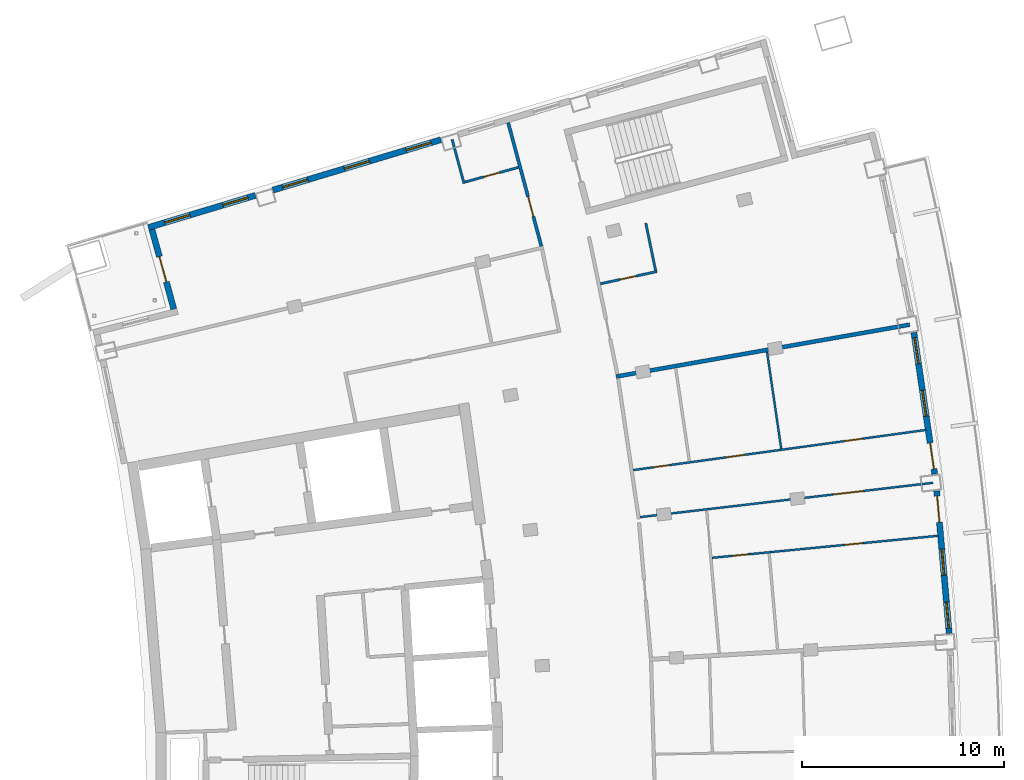
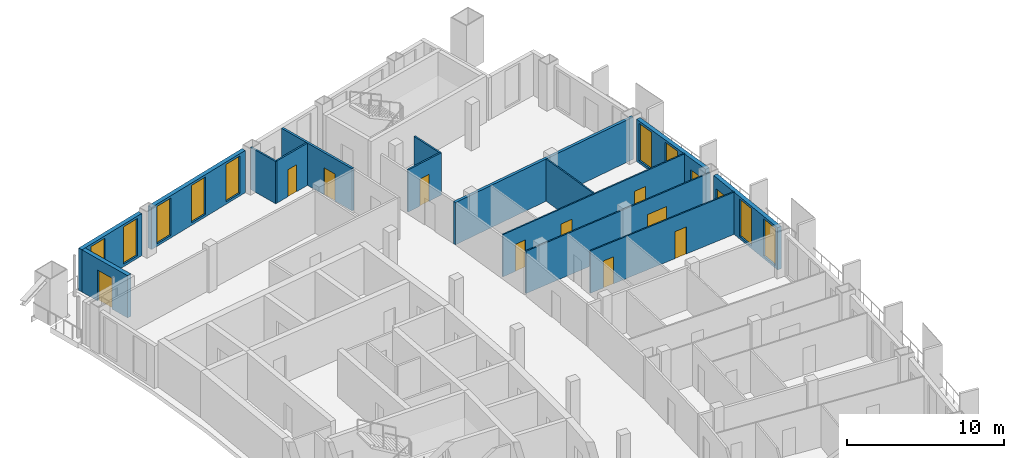
# One storey, part 12 of 16: 15 walls, 12 doors, 9 windows, 21 openings.
"""IFC4 building model written with IfcOpenShell, lengths in metres."""

from ifc_helpers import new_model, si_unit, direction, frame, frame_2d, origin, place, context, subcontext, project, spatial, rectangle, extrude, material, layer, layer_set, type_object, element, fill, save


model = new_model("IFC4")

# Units and contexts
model_context = context("Model", 3, precision=1e-05, world=origin(), true_north=direction((0.0, 1.0)))
body_context = subcontext(model_context, "Body", "Model", "MODEL_VIEW")
ifc_project = project(units=[si_unit("LENGTHUNIT", "METRE"), si_unit("AREAUNIT", "SQUARE_METRE"), si_unit("VOLUMEUNIT", "CUBIC_METRE"), si_unit("PLANEANGLEUNIT", "RADIAN"), si_unit("MASSUNIT", "GRAM", prefix="KILO")], contexts=[model_context])

# Site, building, storey
site_placement = place(None, origin())
site = spatial("IfcSite", under=ifc_project, at=site_placement, CompositionType="ELEMENT")
building_placement = place(site_placement, origin())
building = spatial("IfcBuilding", under=site, at=building_placement, Name="Alderwake Tower", CompositionType="ELEMENT")
storey_placement = place(building_placement, frame((0.0, 0.0, 281.60009765625)))
storey = spatial("IfcBuildingStorey", under=building, at=storey_placement, Name="L70", CompositionType="ELEMENT", Elevation=281.60009765625)

# Wall, opening, door
ifc_material_1 = material(Name="Gypsum board on metal studs, rated")
ifc_layer_1 = layer(ifc_material_1, 0.159912109375)
ifc_layer_set_1 = layer_set([ifc_layer_1], Name="Corridor wall 160")
wall_type_1 = type_object("IfcWallType", Name="Corridor wall 160", PredefinedType="PARTITIONING", material=ifc_layer_set_1)
wall_1_placement = place(storey_placement, frame((35.55908203125, 88.54736328125, 0.0), z_axis=(0.0, 0.0, 1.0), x_axis=(-0.259486497004, 0.965746735885, 0.0)))
wall_1 = element("IfcWall", 1, at=wall_1_placement, inside=storey, type_object=wall_type_1, Name="WL/L70/W13", PredefinedType="PARTITIONING", context=body_context, shape_type="SweptSolid", body=[
    extrude(rectangle(XDim=6.346923828125, YDim=0.159912109375, at=frame_2d((3.17333984375, 0.0))), origin(), (0.0, 0.0, 1.0), 3.27978515625),
])
opening_1_placement = place(wall_1_placement, frame((1.5380859375, 0.0, 0.0)))
opening_1 = element("IfcOpeningElement", 2, at=opening_1_placement, cuts=wall_1, Name="Opening R20-U09.1", PredefinedType="OPENING", context=body_context, shape_type="SweptSolid", body=[
    extrude(rectangle(XDim=1.0, YDim=2.10009765625, at=frame_2d((0.5, 1.050048828125))), frame((0.0, 0.08984375, 0.0), z_axis=(0.0, -1.0, 0.0), x_axis=(1.0, 0.0, 0.0)), (0.0, 0.0, 1.0), 0.179931640625),
])
ifc_material_2 = material(Name="Solid timber leaf in steel frame", Category="steel")
door_type_1 = type_object("IfcDoorType", Name="Flat entrance door 1000 fire-rated", OperationType="SINGLE_SWING_LEFT", PredefinedType="DOOR", material=ifc_material_2)
door_1_placement = place(opening_1_placement, origin())
door_1 = element("IfcDoor", 3, at=door_1_placement, inside=storey, type_object=door_type_1, Name="DR/L70/U09.1", OperationType="SINGLE_SWING_LEFT", OverallHeight=2.10009765625, OverallWidth=1.0, PredefinedType="DOOR", context=body_context, shape_type="SweptSolid", body=[
    extrude(rectangle(XDim=1.0, YDim=2.10009765625, at=frame_2d((0.5, 1.050048828125))), frame((0.0, 0.02490234375, 0.0), z_axis=(0.0, -1.0, 0.0), x_axis=(1.0, 0.0, 0.0)), (0.0, 0.0, 1.0), 0.050048828125),
])
fill(opening_1, door_1)

# Wall, openings, door, windows
ifc_material_3 = material(Name="Precast concrete C50/60 spandrel panel", Category="concrete")
ifc_layer_2 = layer(ifc_material_3, 0.300048828125)
ifc_layer_set_2 = layer_set([ifc_layer_2], Name="External wall EW1 Precast concrete C50/60 spandrel")
wall_type_2 = type_object("IfcWallType", Name="External wall EW1 Precast concrete C50/60 spandrel", PredefinedType="SOLIDWALL", material=ifc_layer_set_2)
wall_2_placement = place(storey_placement, frame((55.78173828125, 69.351806640625, 0.0), z_axis=(0.0, 0.0, 1.0), x_axis=(-0.087372360108, 0.996175722796, 0.0)))
wall_2 = element("IfcWall", 4, at=wall_2_placement, inside=storey, type_object=wall_type_2, Name="External wall 17", PredefinedType="SOLIDWALL", context=body_context, shape_type="SweptSolid", body=[
    extrude(rectangle(XDim=7.091796875, YDim=0.300048828125, at=frame_2d((3.5458984375, 0.0))), origin(), (0.0, 0.0, 1.0), 3.27978515625),
])
opening_2_placement = place(wall_2_placement, frame((0.255615234375, 0.0, 0.199951171875)))
opening_2 = element("IfcOpeningElement", 5, at=opening_2_placement, cuts=wall_2, Name="Opening W1", PredefinedType="OPENING", context=body_context, shape_type="SweptSolid", body=[
    extrude(rectangle(XDim=1.300048828125, YDim=2.89990234375, at=frame_2d((0.64990234375, 1.449951171875))), frame((0.0, 0.159912109375, 0.0), z_axis=(0.0, -1.0, 0.0), x_axis=(1.0, 0.0, 0.0)), (0.0, 0.0, 1.0), 0.320068359375),
])
opening_3_placement = place(wall_2_placement, frame((2.895751953125, 0.0, 0.199951171875)))
opening_3 = element("IfcOpeningElement", 6, at=opening_3_placement, cuts=wall_2, Name="Opening W1", PredefinedType="OPENING", context=body_context, shape_type="SweptSolid", body=[
    extrude(rectangle(XDim=1.300048828125, YDim=2.89990234375, at=frame_2d((0.64990234375, 1.449951171875))), frame((0.0, 0.159912109375, 0.0), z_axis=(0.0, -1.0, 0.0), x_axis=(1.0, 0.0, 0.0)), (0.0, 0.0, 1.0), 0.320068359375),
])
opening_4_placement = place(wall_2_placement, frame((5.535888671875, 0.0, 0.0)))
opening_4 = element("IfcOpeningElement", 7, at=opening_4_placement, cuts=wall_2, Name="Opening D06", PredefinedType="OPENING", context=body_context, shape_type="SweptSolid", body=[
    extrude(rectangle(XDim=1.300048828125, YDim=2.39990234375, at=frame_2d((0.64990234375, 1.199951171875))), frame((0.0, 0.159912109375, 0.0), z_axis=(0.0, -1.0, 0.0), x_axis=(1.0, 0.0, 0.0)), (0.0, 0.0, 1.0), 0.320068359375),
])
ifc_material_4 = material(Name="Bronze tinted glass in aluminium frame", Category="aluminium")
door_type_2 = type_object("IfcDoorType", Name="Balcony door BD sliding", OperationType="SLIDING_TO_LEFT", PredefinedType="DOOR", material=ifc_material_4)
door_2_placement = place(opening_4_placement, origin())
door_2 = element("IfcDoor", 8, at=door_2_placement, inside=storey, type_object=door_type_2, Name="Door D06", OperationType="SLIDING_TO_LEFT", OverallHeight=2.39990234375, OverallWidth=1.300048828125, PredefinedType="DOOR", context=body_context, shape_type="SweptSolid", body=[
    extrude(rectangle(XDim=1.300048828125, YDim=2.39990234375, at=frame_2d((0.64990234375, 1.199951171875))), frame((0.0, 0.02490234375, 0.0), z_axis=(0.0, -1.0, 0.0), x_axis=(1.0, 0.0, 0.0)), (0.0, 0.0, 1.0), 0.050048828125),
])
fill(opening_4, door_2)
ifc_material_5 = material(Name="Bronze tinted glass in aluminium frame", Category="aluminium")
window_type = type_object("IfcWindowType", Name="Window W1 tall fixed and vent", PartitioningType="DOUBLE_PANEL_VERTICAL", PredefinedType="WINDOW", material=ifc_material_5)
window_1_placement = place(opening_2_placement, origin())
window_1 = element("IfcWindow", 9, at=window_1_placement, inside=storey, type_object=window_type, Name="Window W1 tall fixed and vent", OverallHeight=2.89990234375, OverallWidth=1.300048828125, PartitioningType="DOUBLE_PANEL_VERTICAL", PredefinedType="WINDOW", context=body_context, shape_type="SweptSolid", body=[
    extrude(rectangle(XDim=1.300048828125, YDim=2.89990234375, at=frame_2d((0.64990234375, 1.449951171875))), frame((0.0, 0.030029296875, 0.0), z_axis=(0.0, -1.0, 0.0), x_axis=(1.0, 0.0, 0.0)), (0.0, 0.0, 1.0), 0.06005859375),
])
fill(opening_2, window_1)
window_2_placement = place(opening_3_placement, origin())
window_2 = element("IfcWindow", 10, at=window_2_placement, inside=storey, type_object=window_type, Name="Window W1 tall fixed and vent", OverallHeight=2.89990234375, OverallWidth=1.300048828125, PartitioningType="DOUBLE_PANEL_VERTICAL", PredefinedType="WINDOW", context=body_context, shape_type="SweptSolid", body=[
    extrude(rectangle(XDim=1.300048828125, YDim=2.89990234375, at=frame_2d((0.64990234375, 1.449951171875))), frame((0.0, 0.030029296875, 0.0), z_axis=(0.0, -1.0, 0.0), x_axis=(1.0, 0.0, 0.0)), (0.0, 0.0, 1.0), 0.06005859375),
])
fill(opening_3, window_2)

wall_3_placement = place(storey_placement, frame((55.063720703125, 77.253662109375, 0.0), z_axis=(0.0, 0.0, 1.0), x_axis=(-0.145309647342, 0.989386227107, 0.0)))
wall_3 = element("IfcWall", 11, at=wall_3_placement, inside=storey, type_object=wall_type_2, Name="External wall 18", PredefinedType="SOLIDWALL", context=body_context, shape_type="SweptSolid", body=[
    extrude(rectangle(XDim=7.091796875, YDim=0.300048828125, at=frame_2d((3.5458984375, 0.0))), origin(), (0.0, 0.0, 1.0), 3.27978515625),
])
opening_5_placement = place(wall_3_placement, frame((0.255615234375, 0.0, 0.0)))
opening_5 = element("IfcOpeningElement", 12, at=opening_5_placement, cuts=wall_3, Name="Opening D07", PredefinedType="OPENING", context=body_context, shape_type="SweptSolid", body=[
    extrude(rectangle(XDim=1.300048828125, YDim=2.39990234375, at=frame_2d((0.64990234375, 1.199951171875))), frame((0.0, 0.159912109375, 0.0), z_axis=(0.0, -1.0, 0.0), x_axis=(1.0, 0.0, 0.0)), (0.0, 0.0, 1.0), 0.320068359375),
])
opening_6_placement = place(wall_3_placement, frame((2.89599609375, 0.0, 0.199951171875)))
opening_6 = element("IfcOpeningElement", 13, at=opening_6_placement, cuts=wall_3, Name="Opening W1", PredefinedType="OPENING", context=body_context, shape_type="SweptSolid", body=[
    extrude(rectangle(XDim=1.300048828125, YDim=2.89990234375, at=frame_2d((0.64990234375, 1.449951171875))), frame((0.0, 0.159912109375, 0.0), z_axis=(0.0, -1.0, 0.0), x_axis=(1.0, 0.0, 0.0)), (0.0, 0.0, 1.0), 0.320068359375),
])
opening_7_placement = place(wall_3_placement, frame((5.5361328125, 0.0, 0.199951171875)))
opening_7 = element("IfcOpeningElement", 14, at=opening_7_placement, cuts=wall_3, Name="Opening W1", PredefinedType="OPENING", context=body_context, shape_type="SweptSolid", body=[
    extrude(rectangle(XDim=1.300048828125, YDim=2.89990234375, at=frame_2d((0.64990234375, 1.449951171875))), frame((0.0, 0.159912109375, 0.0), z_axis=(0.0, -1.0, 0.0), x_axis=(1.0, 0.0, 0.0)), (0.0, 0.0, 1.0), 0.320068359375),
])
door_3_placement = place(opening_5_placement, origin())
door_3 = element("IfcDoor", 15, at=door_3_placement, inside=storey, type_object=door_type_2, Name="Door D07", OperationType="SLIDING_TO_LEFT", OverallHeight=2.39990234375, OverallWidth=1.300048828125, PredefinedType="DOOR", context=body_context, shape_type="SweptSolid", body=[
    extrude(rectangle(XDim=1.300048828125, YDim=2.39990234375, at=frame_2d((0.64990234375, 1.199951171875))), frame((0.0, 0.02490234375, 0.0), z_axis=(0.0, -1.0, 0.0), x_axis=(1.0, 0.0, 0.0)), (0.0, 0.0, 1.0), 0.050048828125),
])
fill(opening_5, door_3)
window_3_placement = place(opening_6_placement, origin())
window_3 = element("IfcWindow", 16, at=window_3_placement, inside=storey, type_object=window_type, Name="Window W1 tall fixed and vent", OverallHeight=2.89990234375, OverallWidth=1.300048828125, PartitioningType="DOUBLE_PANEL_VERTICAL", PredefinedType="WINDOW", context=body_context, shape_type="SweptSolid", body=[
    extrude(rectangle(XDim=1.300048828125, YDim=2.89990234375, at=frame_2d((0.64990234375, 1.449951171875))), frame((0.0, 0.030029296875, 0.0), z_axis=(0.0, -1.0, 0.0), x_axis=(1.0, 0.0, 0.0)), (0.0, 0.0, 1.0), 0.06005859375),
])
fill(opening_6, window_3)
window_4_placement = place(opening_7_placement, origin())
window_4 = element("IfcWindow", 17, at=window_4_placement, inside=storey, type_object=window_type, Name="Window W1 tall fixed and vent", OverallHeight=2.89990234375, OverallWidth=1.300048828125, PartitioningType="DOUBLE_PANEL_VERTICAL", PredefinedType="WINDOW", context=body_context, shape_type="SweptSolid", body=[
    extrude(rectangle(XDim=1.300048828125, YDim=2.89990234375, at=frame_2d((0.64990234375, 1.449951171875))), frame((0.0, 0.030029296875, 0.0), z_axis=(0.0, -1.0, 0.0), x_axis=(1.0, 0.0, 0.0)), (0.0, 0.0, 1.0), 0.06005859375),
])
fill(opening_7, window_4)

# Wall, openings, windows
ifc_material_6 = material(Name="Bronze metal cladding on lightweight framing")
ifc_layer_3 = layer(ifc_material_6, 0.300048828125)
ifc_layer_set_3 = layer_set([ifc_layer_3], Name="External wall EW2 bronze metal cladding")
wall_type_3 = type_object("IfcWallType", Name="External wall EW2 bronze metal cladding", PredefinedType="SOLIDWALL", material=ifc_layer_set_3)
wall_4_placement = place(storey_placement, frame((30.57568359375, 93.83251953125, 0.0), z_axis=(0.0, 0.0, 1.0), x_axis=(-0.957762902908, -0.287559075345, 0.0)))
wall_4 = element("IfcWall", 18, at=wall_4_placement, inside=storey, type_object=wall_type_3, Name="External wall 26", PredefinedType="SOLIDWALL", context=body_context, shape_type="SweptSolid", body=[
    extrude(rectangle(XDim=8.696533203125, YDim=0.300048828125, at=frame_2d((4.34814453125, 0.0))), origin(), (0.0, 0.0, 1.0), 3.27978515625),
])
opening_8_placement = place(wall_4_placement, frame((0.498291015625, 0.0, 0.199951171875)))
opening_8 = element("IfcOpeningElement", 19, at=opening_8_placement, cuts=wall_4, Name="Opening W1", PredefinedType="OPENING", context=body_context, shape_type="SweptSolid", body=[
    extrude(rectangle(XDim=1.300048828125, YDim=2.89990234375, at=frame_2d((0.64990234375, 1.449951171875))), frame((0.0, 0.159912109375, 0.0), z_axis=(0.0, -1.0, 0.0), x_axis=(1.0, 0.0, 0.0)), (0.0, 0.0, 1.0), 0.320068359375),
])
opening_9_placement = place(wall_4_placement, frame((3.6982421875, 0.0, 0.199951171875)))
opening_9 = element("IfcOpeningElement", 20, at=opening_9_placement, cuts=wall_4, Name="Opening W1", PredefinedType="OPENING", context=body_context, shape_type="SweptSolid", body=[
    extrude(rectangle(XDim=1.300048828125, YDim=2.89990234375, at=frame_2d((0.64990234375, 1.449951171875))), frame((0.0, 0.159912109375, 0.0), z_axis=(0.0, -1.0, 0.0), x_axis=(1.0, 0.0, 0.0)), (0.0, 0.0, 1.0), 0.320068359375),
])
opening_10_placement = place(wall_4_placement, frame((6.898193359375, 0.0, 0.199951171875)))
opening_10 = element("IfcOpeningElement", 21, at=opening_10_placement, cuts=wall_4, Name="Opening W1", PredefinedType="OPENING", context=body_context, shape_type="SweptSolid", body=[
    extrude(rectangle(XDim=1.300048828125, YDim=2.89990234375, at=frame_2d((0.64990234375, 1.449951171875))), frame((0.0, 0.159912109375, 0.0), z_axis=(0.0, -1.0, 0.0), x_axis=(1.0, 0.0, 0.0)), (0.0, 0.0, 1.0), 0.320068359375),
])
window_5_placement = place(opening_8_placement, origin())
window_5 = element("IfcWindow", 22, at=window_5_placement, inside=storey, type_object=window_type, Name="Window W1 tall fixed and vent", OverallHeight=2.89990234375, OverallWidth=1.300048828125, PartitioningType="DOUBLE_PANEL_VERTICAL", PredefinedType="WINDOW", context=body_context, shape_type="SweptSolid", body=[
    extrude(rectangle(XDim=1.300048828125, YDim=2.89990234375, at=frame_2d((0.64990234375, 1.449951171875))), frame((0.0, 0.030029296875, 0.0), z_axis=(0.0, -1.0, 0.0), x_axis=(1.0, 0.0, 0.0)), (0.0, 0.0, 1.0), 0.06005859375),
])
fill(opening_8, window_5)
window_6_placement = place(opening_9_placement, origin())
window_6 = element("IfcWindow", 23, at=window_6_placement, inside=storey, type_object=window_type, Name="Window W1 tall fixed and vent", OverallHeight=2.89990234375, OverallWidth=1.300048828125, PartitioningType="DOUBLE_PANEL_VERTICAL", PredefinedType="WINDOW", context=body_context, shape_type="SweptSolid", body=[
    extrude(rectangle(XDim=1.300048828125, YDim=2.89990234375, at=frame_2d((0.64990234375, 1.449951171875))), frame((0.0, 0.030029296875, 0.0), z_axis=(0.0, -1.0, 0.0), x_axis=(1.0, 0.0, 0.0)), (0.0, 0.0, 1.0), 0.06005859375),
])
fill(opening_9, window_6)
window_7_placement = place(opening_10_placement, origin())
window_7 = element("IfcWindow", 24, at=window_7_placement, inside=storey, type_object=window_type, Name="Window W1 tall fixed and vent", OverallHeight=2.89990234375, OverallWidth=1.300048828125, PartitioningType="DOUBLE_PANEL_VERTICAL", PredefinedType="WINDOW", context=body_context, shape_type="SweptSolid", body=[
    extrude(rectangle(XDim=1.300048828125, YDim=2.89990234375, at=frame_2d((0.64990234375, 1.449951171875))), frame((0.0, 0.030029296875, 0.0), z_axis=(0.0, -1.0, 0.0), x_axis=(1.0, 0.0, 0.0)), (0.0, 0.0, 1.0), 0.06005859375),
])
fill(opening_10, window_7)

wall_5_placement = place(storey_placement, frame((21.380859375, 91.072021484375, 0.0), z_axis=(0.0, 0.0, 1.0), x_axis=(-0.957769358194, -0.287537574074, 0.0)))
wall_5 = element("IfcWall", 25, at=wall_5_placement, inside=storey, type_object=wall_type_3, Name="External wall 27", PredefinedType="SOLIDWALL", context=body_context, shape_type="SweptSolid", body=[
    extrude(rectangle(XDim=5.549560546875, YDim=0.300048828125, at=frame_2d((2.77490234375, 0.0))), origin(), (0.0, 0.0, 1.0), 3.27978515625),
])
opening_11_placement = place(wall_5_placement, frame((0.3984375, 0.0, 0.199951171875)))
opening_11 = element("IfcOpeningElement", 26, at=opening_11_placement, cuts=wall_5, Name="Opening W1", PredefinedType="OPENING", context=body_context, shape_type="SweptSolid", body=[
    extrude(rectangle(XDim=1.300048828125, YDim=2.89990234375, at=frame_2d((0.64990234375, 1.449951171875))), frame((0.0, 0.159912109375, 0.0), z_axis=(0.0, -1.0, 0.0), x_axis=(1.0, 0.0, 0.0)), (0.0, 0.0, 1.0), 0.320068359375),
])
opening_12_placement = place(wall_5_placement, frame((3.399169921875, 0.0, 0.199951171875)))
opening_12 = element("IfcOpeningElement", 27, at=opening_12_placement, cuts=wall_5, Name="Opening W1", PredefinedType="OPENING", context=body_context, shape_type="SweptSolid", body=[
    extrude(rectangle(XDim=1.300048828125, YDim=2.89990234375, at=frame_2d((0.64990234375, 1.449951171875))), frame((0.0, 0.159912109375, 0.0), z_axis=(0.0, -1.0, 0.0), x_axis=(1.0, 0.0, 0.0)), (0.0, 0.0, 1.0), 0.320068359375),
])
window_8_placement = place(opening_11_placement, origin())
window_8 = element("IfcWindow", 28, at=window_8_placement, inside=storey, type_object=window_type, Name="Window W1 tall fixed and vent", OverallHeight=2.89990234375, OverallWidth=1.300048828125, PartitioningType="DOUBLE_PANEL_VERTICAL", PredefinedType="WINDOW", context=body_context, shape_type="SweptSolid", body=[
    extrude(rectangle(XDim=1.300048828125, YDim=2.89990234375, at=frame_2d((0.64990234375, 1.449951171875))), frame((0.0, 0.030029296875, 0.0), z_axis=(0.0, -1.0, 0.0), x_axis=(1.0, 0.0, 0.0)), (0.0, 0.0, 1.0), 0.06005859375),
])
fill(opening_11, window_8)
window_9_placement = place(opening_12_placement, origin())
window_9 = element("IfcWindow", 29, at=window_9_placement, inside=storey, type_object=window_type, Name="Window W1 tall fixed and vent", OverallHeight=2.89990234375, OverallWidth=1.300048828125, PartitioningType="DOUBLE_PANEL_VERTICAL", PredefinedType="WINDOW", context=body_context, shape_type="SweptSolid", body=[
    extrude(rectangle(XDim=1.300048828125, YDim=2.89990234375, at=frame_2d((0.64990234375, 1.449951171875))), frame((0.0, 0.030029296875, 0.0), z_axis=(0.0, -1.0, 0.0), x_axis=(1.0, 0.0, 0.0)), (0.0, 0.0, 1.0), 0.06005859375),
])
fill(opening_12, window_9)

# Wall, opening, door
wall_6_placement = place(storey_placement, frame((16.248779296875, 89.374755859375, 0.0), z_axis=(0.0, 0.0, 1.0), x_axis=(0.264607053468, -0.964356317579, 0.0)))
wall_6 = element("IfcWall", 30, at=wall_6_placement, inside=storey, type_object=wall_type_3, Name="External wall 28", PredefinedType="SOLIDWALL", context=body_context, shape_type="SweptSolid", body=[
    extrude(rectangle(XDim=4.090087890625, YDim=0.300048828125, at=frame_2d((2.044921875, 0.0))), origin(), (0.0, 0.0, 1.0), 3.27978515625),
])
opening_13_placement = place(wall_6_placement, frame((1.39501953125, 0.0, 0.0)))
opening_13 = element("IfcOpeningElement", 31, at=opening_13_placement, cuts=wall_6, Name="Opening D09", PredefinedType="OPENING", context=body_context, shape_type="SweptSolid", body=[
    extrude(rectangle(XDim=1.300048828125, YDim=2.39990234375, at=frame_2d((0.64990234375, 1.199951171875))), frame((0.0, 0.159912109375, 0.0), z_axis=(0.0, -1.0, 0.0), x_axis=(1.0, 0.0, 0.0)), (0.0, 0.0, 1.0), 0.320068359375),
])
door_4_placement = place(opening_13_placement, origin())
door_4 = element("IfcDoor", 32, at=door_4_placement, inside=storey, type_object=door_type_2, Name="Door D09", OperationType="SLIDING_TO_LEFT", OverallHeight=2.39990234375, OverallWidth=1.300048828125, PredefinedType="DOOR", context=body_context, shape_type="SweptSolid", body=[
    extrude(rectangle(XDim=1.300048828125, YDim=2.39990234375, at=frame_2d((0.64990234375, 1.199951171875))), frame((0.0, 0.02490234375, 0.0), z_axis=(0.0, -1.0, 0.0), x_axis=(1.0, 0.0, 0.0)), (0.0, 0.0, 1.0), 0.050048828125),
])
fill(opening_13, door_4)

# Wall
ifc_material_7 = material(Name="Dense block masonry wall", Category="masonry")
ifc_layer_4 = layer(ifc_material_7, 0.199951171875)
ifc_layer_set_4 = layer_set([ifc_layer_4], Name="Party wall 200")
wall_type_4 = type_object("IfcWallType", Name="Party wall 200", PredefinedType="SOLIDWALL", material=ifc_layer_set_4)
wall_7_placement = place(storey_placement, frame((39.269287109375, 82.087158203125, 0.0), z_axis=(0.0, 0.0, 1.0), x_axis=(0.984731962834, 0.174077457967, 0.0)))
element("IfcWall", 33, at=wall_7_placement, inside=storey, type_object=wall_type_4, Name="WL/L70/W01", PredefinedType="SOLIDWALL", context=body_context, shape_type="SweptSolid", body=[
    extrude(rectangle(XDim=14.779296875, YDim=0.199951171875, at=frame_2d((7.3896484375, 0.0))), origin(), (0.0, 0.0, 1.0), 3.27978515625),
])

# Wall, openings, doors
ifc_material_8 = material(Name="Gypsum board on metal studs")
ifc_layer_5 = layer(ifc_material_8, 0.10009765625)
ifc_layer_set_5 = layer_set([ifc_layer_5], Name="Unit partition 100")
wall_type_5 = type_object("IfcWallType", Name="Unit partition 100", PredefinedType="PARTITIONING", material=ifc_layer_set_5)
wall_8_placement = place(storey_placement, frame((40.1142578125, 77.449951171875, 0.0), z_axis=(0.0, 0.0, 1.0), x_axis=(0.990744542491, 0.135739646107, 0.0)))
wall_8 = element("IfcWall", 34, at=wall_8_placement, inside=storey, type_object=wall_type_5, Name="WL/L70/W43", PredefinedType="PARTITIONING", context=body_context, shape_type="SweptSolid", body=[
    extrude(rectangle(XDim=14.660400390625, YDim=0.10009765625, at=frame_2d((7.330078125, 0.0))), origin(), (0.0, 0.0, 1.0), 3.27978515625),
])
opening_14_placement = place(wall_8_placement, frame((4.666259765625, 0.0, 0.0)))
opening_14 = element("IfcOpeningElement", 35, at=opening_14_placement, cuts=wall_8, Name="Opening R20-U06.5", PredefinedType="OPENING", context=body_context, shape_type="SweptSolid", body=[
    extrude(rectangle(XDim=0.89990234375, YDim=2.10009765625, at=frame_2d((0.449951171875, 1.050048828125))), frame((0.0, 0.06005859375, 0.0), z_axis=(0.0, -1.0, 0.0), x_axis=(1.0, 0.0, 0.0)), (0.0, 0.0, 1.0), 0.1201171875),
])
opening_15_placement = place(wall_8_placement, frame((1.0087890625, 0.0, 0.0)))
opening_15 = element("IfcOpeningElement", 36, at=opening_15_placement, cuts=wall_8, Name="Opening R20-U06.6", PredefinedType="OPENING", context=body_context, shape_type="SweptSolid", body=[
    extrude(rectangle(XDim=0.800048828125, YDim=2.10009765625, at=frame_2d((0.39990234375, 1.050048828125))), frame((0.0, 0.06005859375, 0.0), z_axis=(0.0, -1.0, 0.0), x_axis=(1.0, 0.0, 0.0)), (0.0, 0.0, 1.0), 0.1201171875),
])
opening_16_placement = place(wall_8_placement, frame((10.587646484375, 0.0, 0.0)))
opening_16 = element("IfcOpeningElement", 37, at=opening_16_placement, cuts=wall_8, Name="Opening R20-U06.7", PredefinedType="OPENING", context=body_context, shape_type="SweptSolid", body=[
    extrude(rectangle(XDim=0.89990234375, YDim=2.10009765625, at=frame_2d((0.449951171875, 1.050048828125))), frame((0.0, 0.06005859375, 0.0), z_axis=(0.0, -1.0, 0.0), x_axis=(1.0, 0.0, 0.0)), (0.0, 0.0, 1.0), 0.1201171875),
])
ifc_material_9 = material(Name="Painted timber leaf", Category="wood")
door_type_3 = type_object("IfcDoorType", Name="Bathroom door 800", OperationType="SINGLE_SWING_LEFT", PredefinedType="DOOR", material=ifc_material_9)
door_5_placement = place(opening_15_placement, origin())
door_5 = element("IfcDoor", 38, at=door_5_placement, inside=storey, type_object=door_type_3, Name="DR/L70/U06.6", OperationType="SINGLE_SWING_LEFT", OverallHeight=2.10009765625, OverallWidth=0.800048828125, PredefinedType="DOOR", context=body_context, shape_type="SweptSolid", body=[
    extrude(rectangle(XDim=0.800048828125, YDim=2.10009765625, at=frame_2d((0.39990234375, 1.050048828125))), frame((0.0, 0.02490234375, 0.0), z_axis=(0.0, -1.0, 0.0), x_axis=(1.0, 0.0, 0.0)), (0.0, 0.0, 1.0), 0.050048828125),
])
fill(opening_15, door_5)
ifc_material_10 = material(Name="Painted timber leaf", Category="wood")
door_type_4 = type_object("IfcDoorType", Name="Room door 900", OperationType="SINGLE_SWING_LEFT", PredefinedType="DOOR", material=ifc_material_10)
door_6_placement = place(opening_14_placement, origin())
door_6 = element("IfcDoor", 39, at=door_6_placement, inside=storey, type_object=door_type_4, Name="DR/L70/U06.5", OperationType="SINGLE_SWING_LEFT", OverallHeight=2.10009765625, OverallWidth=0.89990234375, PredefinedType="DOOR", context=body_context, shape_type="SweptSolid", body=[
    extrude(rectangle(XDim=0.89990234375, YDim=2.10009765625, at=frame_2d((0.449951171875, 1.050048828125))), frame((0.0, 0.02490234375, 0.0), z_axis=(0.0, -1.0, 0.0), x_axis=(1.0, 0.0, 0.0)), (0.0, 0.0, 1.0), 0.050048828125),
])
fill(opening_14, door_6)
door_7_placement = place(opening_16_placement, origin())
door_7 = element("IfcDoor", 40, at=door_7_placement, inside=storey, type_object=door_type_4, Name="DR/L70/U06.7", OperationType="SINGLE_SWING_LEFT", OverallHeight=2.10009765625, OverallWidth=0.89990234375, PredefinedType="DOOR", context=body_context, shape_type="SweptSolid", body=[
    extrude(rectangle(XDim=0.89990234375, YDim=2.10009765625, at=frame_2d((0.449951171875, 1.050048828125))), frame((0.0, 0.02490234375, 0.0), z_axis=(0.0, -1.0, 0.0), x_axis=(1.0, 0.0, 0.0)), (0.0, 0.0, 1.0), 0.050048828125),
])
fill(opening_16, door_7)

# Wall, opening, door
wall_9_placement = place(storey_placement, frame((40.45654296875, 75.1171875, 0.0), z_axis=(0.0, 0.0, 1.0), x_axis=(0.99320714738, 0.116359625274, 0.0)))
wall_9 = element("IfcWall", 41, at=wall_9_placement, inside=storey, type_object=wall_type_5, Name="WL/L70/W44", PredefinedType="PARTITIONING", context=body_context, shape_type="SweptSolid", body=[
    extrude(rectangle(XDim=14.617919921875, YDim=0.10009765625, at=frame_2d((7.30908203125, 0.0))), origin(), (0.0, 0.0, 1.0), 3.27978515625),
])
opening_17_placement = place(wall_9_placement, frame((9.652099609375, 0.0, 0.0)))
opening_17 = element("IfcOpeningElement", 42, at=opening_17_placement, cuts=wall_9, Name="Opening R20-U06.8", PredefinedType="OPENING", context=body_context, shape_type="SweptSolid", body=[
    extrude(rectangle(XDim=1.5, YDim=2.10009765625, at=frame_2d((0.75, 1.050048828125))), frame((0.0, 0.06005859375, 0.0), z_axis=(0.0, -1.0, 0.0), x_axis=(1.0, 0.0, 0.0)), (0.0, 0.0, 1.0), 0.1201171875),
])
ifc_material_11 = material(Name="Painted timber leaves", Category="wood")
door_type_5 = type_object("IfcDoorType", Name="Double leaf door 1500", OperationType="DOUBLE_DOOR_SINGLE_SWING", PredefinedType="DOOR", material=ifc_material_11)
door_8_placement = place(opening_17_placement, origin())
door_8 = element("IfcDoor", 43, at=door_8_placement, inside=storey, type_object=door_type_5, Name="DR/L70/U06.8", OperationType="DOUBLE_DOOR_SINGLE_SWING", OverallHeight=2.10009765625, OverallWidth=1.5, PredefinedType="DOOR", context=body_context, shape_type="SweptSolid", body=[
    extrude(rectangle(XDim=1.5, YDim=2.10009765625, at=frame_2d((0.75, 1.050048828125))), frame((0.0, 0.02490234375, 0.0), z_axis=(0.0, -1.0, 0.0), x_axis=(1.0, 0.0, 0.0)), (0.0, 0.0, 1.0), 0.050048828125),
])
fill(opening_17, door_8)

# Wall, openings, doors
wall_10_placement = place(storey_placement, frame((55.25390625, 74.193115234375, 0.0), z_axis=(0.0, 0.0, 1.0), x_axis=(-0.995277387788, -0.09707173305, 0.0)))
wall_10 = element("IfcWall", 44, at=wall_10_placement, inside=storey, type_object=wall_type_5, Name="WL/L70/W48", PredefinedType="PARTITIONING", context=body_context, shape_type="SweptSolid", body=[
    extrude(rectangle(XDim=11.282470703125, YDim=0.10009765625, at=frame_2d((5.64111328125, 0.0))), origin(), (0.0, 0.0, 1.0), 3.27978515625),
])
opening_18_placement = place(wall_10_placement, frame((9.46337890625, 0.0, 0.0)))
opening_18 = element("IfcOpeningElement", 45, at=opening_18_placement, cuts=wall_10, Name="Opening R20-U06.3", PredefinedType="OPENING", context=body_context, shape_type="SweptSolid", body=[
    extrude(rectangle(XDim=0.800048828125, YDim=2.10009765625, at=frame_2d((0.39990234375, 1.050048828125))), frame((0.0, 0.06005859375, 0.0), z_axis=(0.0, -1.0, 0.0), x_axis=(1.0, 0.0, 0.0)), (0.0, 0.0, 1.0), 0.1201171875),
])
opening_19_placement = place(wall_10_placement, frame((3.772216796875, 0.0, 0.0)))
opening_19 = element("IfcOpeningElement", 46, at=opening_19_placement, cuts=wall_10, Name="Opening R20-U06.4", PredefinedType="OPENING", context=body_context, shape_type="SweptSolid", body=[
    extrude(rectangle(XDim=0.89990234375, YDim=2.10009765625, at=frame_2d((0.449951171875, 1.050048828125))), frame((0.0, 0.06005859375, 0.0), z_axis=(0.0, -1.0, 0.0), x_axis=(1.0, 0.0, 0.0)), (0.0, 0.0, 1.0), 0.1201171875),
])
door_9_placement = place(opening_18_placement, origin())
door_9 = element("IfcDoor", 47, at=door_9_placement, inside=storey, type_object=door_type_3, Name="DR/L70/U06.3", OperationType="SINGLE_SWING_LEFT", OverallHeight=2.10009765625, OverallWidth=0.800048828125, PredefinedType="DOOR", context=body_context, shape_type="SweptSolid", body=[
    extrude(rectangle(XDim=0.800048828125, YDim=2.10009765625, at=frame_2d((0.39990234375, 1.050048828125))), frame((0.0, 0.02490234375, 0.0), z_axis=(0.0, -1.0, 0.0), x_axis=(1.0, 0.0, 0.0)), (0.0, 0.0, 1.0), 0.050048828125),
])
fill(opening_18, door_9)
door_10_placement = place(opening_19_placement, origin())
door_10 = element("IfcDoor", 48, at=door_10_placement, inside=storey, type_object=door_type_4, Name="DR/L70/U06.4", OperationType="SINGLE_SWING_LEFT", OverallHeight=2.10009765625, OverallWidth=0.89990234375, PredefinedType="DOOR", context=body_context, shape_type="SweptSolid", body=[
    extrude(rectangle(XDim=0.89990234375, YDim=2.10009765625, at=frame_2d((0.449951171875, 1.050048828125))), frame((0.0, 0.02490234375, 0.0), z_axis=(0.0, -1.0, 0.0), x_axis=(1.0, 0.0, 0.0)), (0.0, 0.0, 1.0), 0.050048828125),
])
fill(opening_19, door_10)

# Walls
wall_11_placement = place(storey_placement, frame((47.45263671875, 78.505615234375, 0.0), z_axis=(0.0, 0.0, 1.0), x_axis=(-0.145003277996, 0.989431174651, 0.0)))
element("IfcWall", 49, at=wall_11_placement, inside=storey, type_object=wall_type_5, Name="WL/L70/W51", PredefinedType="PARTITIONING", context=body_context, shape_type="SweptSolid", body=[
    extrude(rectangle(XDim=4.855712890625, YDim=0.10009765625, at=frame_2d((2.427734375, 0.0))), origin(), (0.0, 0.0, 1.0), 3.27978515625),
])
ifc_material_12 = material(Name="Moisture resistant gypsum board on metal studs")
ifc_layer_6 = layer(ifc_material_12, 0.1201171875)
ifc_layer_set_6 = layer_set([ifc_layer_6], Name="Wet room partition 120")
wall_type_6 = type_object("IfcWallType", Name="Wet room partition 120", PredefinedType="PARTITIONING", material=ifc_layer_set_6)
wall_12_placement = place(storey_placement, frame((31.134033203125, 93.843017578125, 0.0), z_axis=(0.0, 0.0, 1.0), x_axis=(0.260139854323, -0.965570948296, 0.0)))
element("IfcWall", 50, at=wall_12_placement, inside=storey, type_object=wall_type_6, Name="WL/L70/W28", PredefinedType="PARTITIONING", context=body_context, shape_type="SweptSolid", body=[
    extrude(rectangle(XDim=2.2626953125, YDim=0.1201171875, at=frame_2d((1.13134765625, 0.0))), origin(), (0.0, 0.0, 1.0), 3.27978515625),
])

# Wall, opening, door
wall_13_placement = place(storey_placement, frame((31.764892578125, 91.73193359375, 0.0), z_axis=(0.0, 0.0, 1.0), x_axis=(0.964278304966, 0.264891205163, 0.0)))
wall_13 = element("IfcWall", 51, at=wall_13_placement, inside=storey, type_object=wall_type_6, Name="WL/L70/W30", PredefinedType="PARTITIONING", context=body_context, shape_type="SweptSolid", body=[
    extrude(rectangle(XDim=2.759521484375, YDim=0.1201171875, at=frame_2d((1.3798828125, 0.0))), origin(), (0.0, 0.0, 1.0), 3.27978515625),
])
opening_20_placement = place(wall_13_placement, frame((0.979736328125, 0.0, 0.0)))
opening_20 = element("IfcOpeningElement", 52, at=opening_20_placement, cuts=wall_13, Name="Opening R20-U09.2", PredefinedType="OPENING", context=body_context, shape_type="SweptSolid", body=[
    extrude(rectangle(XDim=0.800048828125, YDim=2.10009765625, at=frame_2d((0.39990234375, 1.050048828125))), frame((0.0, 0.070068359375, 0.0), z_axis=(0.0, -1.0, 0.0), x_axis=(1.0, 0.0, 0.0)), (0.0, 0.0, 1.0), 0.14013671875),
])
door_11_placement = place(opening_20_placement, origin())
door_11 = element("IfcDoor", 53, at=door_11_placement, inside=storey, type_object=door_type_3, Name="DR/L70/U09.2", OperationType="SINGLE_SWING_LEFT", OverallHeight=2.10009765625, OverallWidth=0.800048828125, PredefinedType="DOOR", context=body_context, shape_type="SweptSolid", body=[
    extrude(rectangle(XDim=0.800048828125, YDim=2.10009765625, at=frame_2d((0.39990234375, 1.050048828125))), frame((0.0, 0.02490234375, 0.0), z_axis=(0.0, -1.0, 0.0), x_axis=(1.0, 0.0, 0.0)), (0.0, 0.0, 1.0), 0.050048828125),
])
fill(opening_20, door_11)

wall_14_placement = place(storey_placement, frame((38.481201171875, 86.68701171875, 0.0), z_axis=(0.0, 0.0, 1.0), x_axis=(0.97723527817, 0.212158457526, 0.0)))
wall_14 = element("IfcWall", 54, at=wall_14_placement, inside=storey, type_object=wall_type_6, Name="WL/L70/W32", PredefinedType="PARTITIONING", context=body_context, shape_type="SweptSolid", body=[
    extrude(rectangle(XDim=2.8779296875, YDim=0.1201171875, at=frame_2d((1.43896484375, 0.0))), origin(), (0.0, 0.0, 1.0), 3.27978515625),
])
opening_21_placement = place(wall_14_placement, frame((1.009521484375, 0.0, 0.0)))
opening_21 = element("IfcOpeningElement", 55, at=opening_21_placement, cuts=wall_14, Name="Opening R20-U07.2", PredefinedType="OPENING", context=body_context, shape_type="SweptSolid", body=[
    extrude(rectangle(XDim=0.800048828125, YDim=2.10009765625, at=frame_2d((0.39990234375, 1.050048828125))), frame((0.0, 0.070068359375, 0.0), z_axis=(0.0, -1.0, 0.0), x_axis=(1.0, 0.0, 0.0)), (0.0, 0.0, 1.0), 0.14013671875),
])
door_12_placement = place(opening_21_placement, origin())
door_12 = element("IfcDoor", 56, at=door_12_placement, inside=storey, type_object=door_type_3, Name="DR/L70/U07.2", OperationType="SINGLE_SWING_LEFT", OverallHeight=2.10009765625, OverallWidth=0.800048828125, PredefinedType="DOOR", context=body_context, shape_type="SweptSolid", body=[
    extrude(rectangle(XDim=0.800048828125, YDim=2.10009765625, at=frame_2d((0.39990234375, 1.050048828125))), frame((0.0, 0.02490234375, 0.0), z_axis=(0.0, -1.0, 0.0), x_axis=(1.0, 0.0, 0.0)), (0.0, 0.0, 1.0), 0.050048828125),
])
fill(opening_21, door_12)

# Wall
wall_15_placement = place(storey_placement, frame((41.222900390625, 87.34375, 0.0), z_axis=(0.0, 0.0, 1.0), x_axis=(-0.202430686623, 0.979296593026, 0.0)))
element("IfcWall", 57, at=wall_15_placement, inside=storey, type_object=wall_type_6, Name="WL/L70/W34", PredefinedType="PARTITIONING", context=body_context, shape_type="SweptSolid", body=[
    extrude(rectangle(XDim=2.400146484375, YDim=0.1201171875, at=frame_2d((1.2001953125, 0.0))), origin(), (0.0, 0.0, 1.0), 3.27978515625),
])

save(model, "model.ifc")
